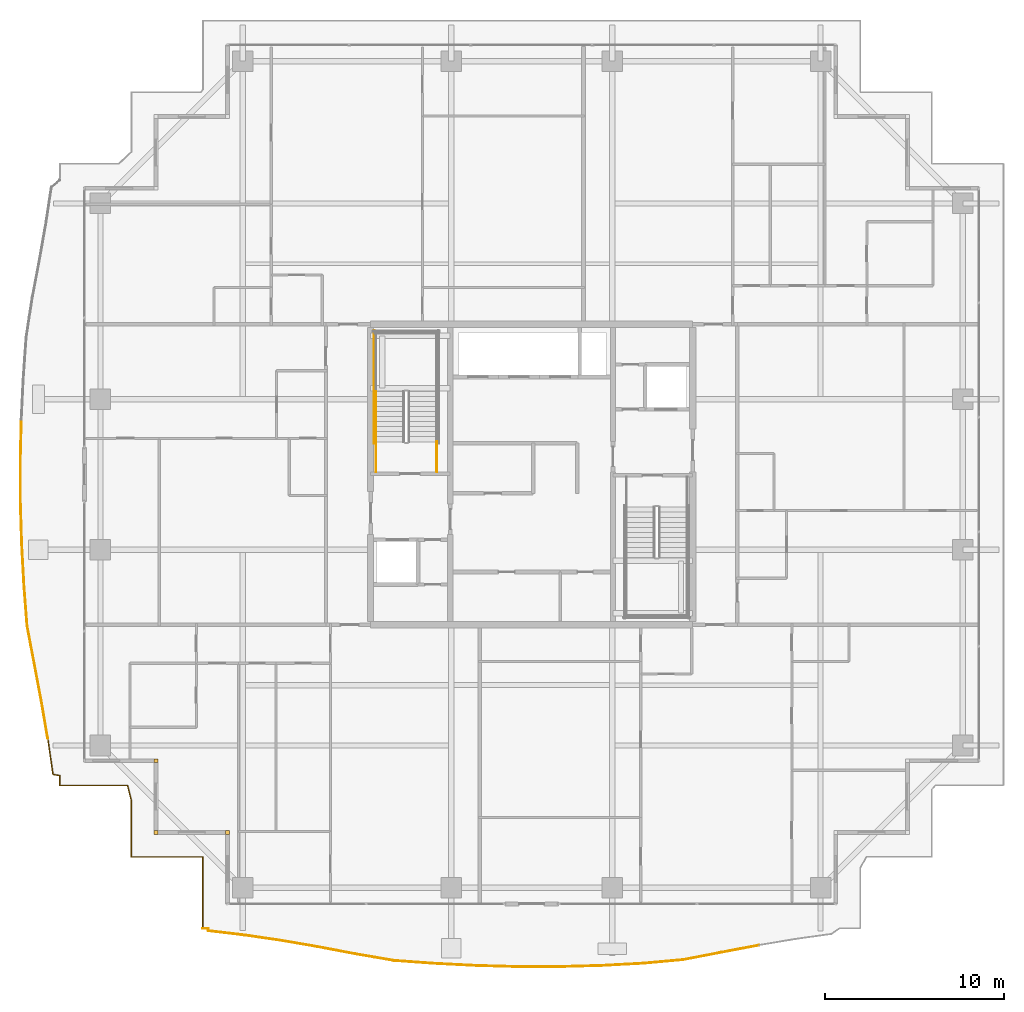
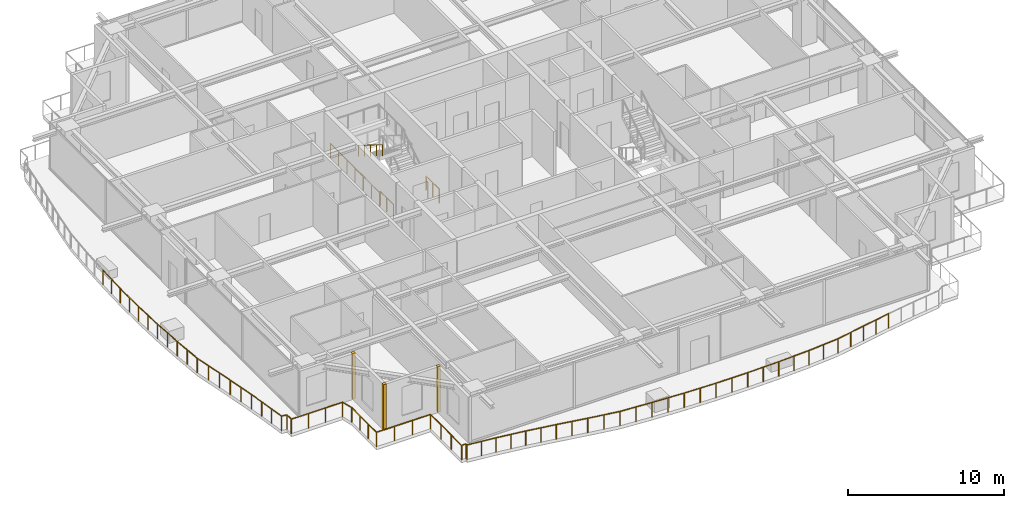
# One storey, part 31 of 35: 8 railings, 3 coverings.
"""IFC4 building model written with IfcOpenShell, lengths in metres."""

from ifc_helpers import new_model, si_unit, direction, frame, origin, origin_2d, place, context, subcontext, project, spatial, rectangle, circle, extrude, source, transform, mapped, material, layer, layer_set, type_object, element, save


model = new_model("IFC4")

# Units and contexts
model_context = context("Model", 3, precision=1e-05, world=origin(), true_north=direction((0.0, 1.0)))
body_context = subcontext(model_context, "Body", "Model", "MODEL_VIEW")
ifc_project = project(units=[si_unit("LENGTHUNIT", "METRE"), si_unit("AREAUNIT", "SQUARE_METRE"), si_unit("VOLUMEUNIT", "CUBIC_METRE"), si_unit("PLANEANGLEUNIT", "RADIAN"), si_unit("MASSUNIT", "GRAM", prefix="KILO")], contexts=[model_context])

# Site, building, storey
site_placement = place(None, origin())
site = spatial("IfcSite", under=ifc_project, at=site_placement, CompositionType="ELEMENT")
building_placement = place(site_placement, origin())
building = spatial("IfcBuilding", under=site, at=building_placement, Name="Serunith Strait Residences", CompositionType="ELEMENT")
storey_placement = place(building_placement, frame((0.0, 0.0, 214.300048828125)))
storey = spatial("IfcBuildingStorey", under=building, at=storey_placement, Name="L53", CompositionType="ELEMENT", Elevation=214.300048828125)

# Railings
ifc_material_1 = material(Name="Stainless Steel & Laminated Glass Balustrade", Category="steel")
railing_type_1 = type_object("IfcRailingType", Name="RLG-BALC-1150", PredefinedType="BALUSTRADE", material=ifc_material_1)
railing_1_placement = place(storey_placement, frame((14.02001953125, -0.179931640625, -0.050048828125)))
element("IfcRailing", 1, at=railing_1_placement, inside=storey, type_object=railing_type_1, Name="L53 Swirling Balcony Perimeter Balustrade 1", PredefinedType="BALUSTRADE", context=body_context, shape_type="SweptSolid", body=[
    extrude(circle(Radius=0.02392578125, at=origin_2d()), frame((0.0, 0.001953125, 1.1259765625), z_axis=(0.0, 1.0, 0.0), x_axis=(-1.0, 0.0, 0.0)), (0.0, 0.0, 1.0), 3.99609375),
    extrude(circle(Radius=0.02392578125, at=origin_2d()), frame((-0.001953125, 4.0, 1.1259765625), z_axis=(-1.0, 0.0, 0.0), x_axis=(0.0, -1.0, 0.0)), (0.0, 0.0, 1.0), 3.99609375),
    extrude(circle(Radius=0.02392578125, at=origin_2d()), frame((-4.0, 4.001953125, 1.1259765625), z_axis=(0.0, 1.0, 0.0), x_axis=(-1.0, 0.0, 0.0)), (0.0, 0.0, 1.0), 3.164306640625),
    extrude(circle(Radius=0.02392578125, at=origin_2d()), frame((-4.00048828125, 7.170166015625, 1.1259765625), z_axis=(-0.238845398988, 0.971057606624, 0.0), x_axis=(-0.971057606624, -0.238845398988, 0.0)), (0.0, 0.0, 1.0), 0.8525390625),
    extrude(circle(Radius=0.02392578125, at=origin_2d()), frame((-4.20654296875, 8.0, 1.1259765625), z_axis=(-1.0, 0.0, 0.0), x_axis=(0.0, -1.0, 0.0)), (0.0, 0.0, 1.0), 3.79150390625),
    extrude(circle(Radius=0.02392578125, at=origin_2d()), frame((-8.0, 8.001953125, 1.1259765625), z_axis=(0.0, 1.0, 0.0), x_axis=(-1.0, 0.0, 0.0)), (0.0, 0.0, 1.0), 0.546142578125),
    extrude(circle(Radius=0.02392578125, at=origin_2d()), frame((-8.001953125, 8.55029296875, 1.1259765625), z_axis=(-0.986359280714, 0.164606711132, 0.0), x_axis=(-0.164606711132, -0.986359280714, 0.0)), (0.0, 0.0, 1.0), 0.377197265625),
    extrude(circle(Radius=0.02392578125, at=origin_2d()), frame((-8.376220703125, 8.61474609375, 1.1259765625), z_axis=(-0.14240644301, 0.989808266782, 0.0), x_axis=(-0.989808266782, -0.14240644301, 0.0)), (0.0, 0.0, 1.0), 2.04296875),
    extrude(circle(Radius=0.02099609375, at=origin_2d()), origin(), (0.0, 0.0, 1.0), 1.099853515625),
    extrude(circle(Radius=0.02099609375, at=origin_2d()), frame((0.0, 1.333251953125, 0.0)), (0.0, 0.0, 1.0), 1.099853515625),
    extrude(circle(Radius=0.02099609375, at=origin_2d()), frame((0.0, 2.666748046875, 0.0)), (0.0, 0.0, 1.0), 1.099853515625),
    extrude(circle(Radius=0.02099609375, at=origin_2d()), frame((0.0, 4.0, 0.0)), (0.0, 0.0, 1.0), 1.099853515625),
    extrude(circle(Radius=0.02099609375, at=origin_2d()), frame((-1.333251953125, 4.0, 0.0)), (0.0, 0.0, 1.0), 1.099853515625),
    extrude(circle(Radius=0.02099609375, at=origin_2d()), frame((-2.666748046875, 4.0, 0.0)), (0.0, 0.0, 1.0), 1.099853515625),
    extrude(circle(Radius=0.02099609375, at=origin_2d()), frame((-4.0, 4.0, 0.0)), (0.0, 0.0, 1.0), 1.099853515625),
    extrude(circle(Radius=0.02099609375, at=origin_2d()), frame((-4.0, 5.05615234375, 0.0)), (0.0, 0.0, 1.0), 1.099853515625),
    extrude(circle(Radius=0.02099609375, at=origin_2d()), frame((-4.0, 6.112060546875, 0.0)), (0.0, 0.0, 1.0), 1.099853515625),
    extrude(circle(Radius=0.02099609375, at=origin_2d()), frame((-4.0, 7.168212890625, 0.0)), (0.0, 0.0, 1.0), 1.099853515625),
    extrude(circle(Radius=0.02099609375, at=origin_2d()), frame((-4.20458984375, 8.0, 0.0)), (0.0, 0.0, 1.0), 1.099853515625),
    extrude(circle(Radius=0.02099609375, at=origin_2d()), frame((-5.4697265625, 8.0, 0.0)), (0.0, 0.0, 1.0), 1.099853515625),
    extrude(circle(Radius=0.02099609375, at=origin_2d()), frame((-6.73486328125, 8.0, 0.0)), (0.0, 0.0, 1.0), 1.099853515625),
    extrude(circle(Radius=0.02099609375, at=origin_2d()), frame((-8.0, 8.0, 0.0)), (0.0, 0.0, 1.0), 1.099853515625),
    extrude(circle(Radius=0.02099609375, at=origin_2d()), frame((-8.0, 8.550048828125, 0.0)), (0.0, 0.0, 1.0), 1.099853515625),
    extrude(circle(Radius=0.02099609375, at=origin_2d()), frame((-8.3759765625, 8.61279296875, 0.0)), (0.0, 0.0, 1.0), 1.099853515625),
    extrude(circle(Radius=0.02099609375, at=origin_2d()), frame((-8.521728515625, 9.6259765625, 0.0)), (0.0, 0.0, 1.0), 1.099853515625),
    extrude(circle(Radius=0.02099609375, at=origin_2d()), frame((-8.66748046875, 10.638916015625, 0.0)), (0.0, 0.0, 1.0), 1.099853515625),
])
railing_2_placement = place(storey_placement, frame((5.3525390625, 10.458984375, -0.050048828125)))
element("IfcRailing", 2, at=railing_2_placement, inside=storey, type_object=railing_type_1, Name="L53 Swirling Balcony Perimeter Balustrade 2", PredefinedType="BALUSTRADE", context=body_context, shape_type="SweptSolid", body=[
    extrude(circle(Radius=0.02392578125, at=origin_2d()), frame((-0.000244140625, 0.001953125, 1.1259765625), z_axis=(-0.16700947295, 0.985955291048, 0.0), x_axis=(-0.985955291048, -0.16700947295, 0.0)), (0.0, 0.0, 1.0), 2.0732421875),
    extrude(circle(Radius=0.02392578125, at=origin_2d()), frame((-0.347412109375, 2.050048828125, 1.1259765625), z_axis=(-0.184344047009, 0.982861776819, 0.0), x_axis=(-0.982861776819, -0.184344047009, 0.0)), (0.0, 0.0, 1.0), 2.120361328125),
    extrude(circle(Radius=0.02392578125, at=origin_2d()), frame((-0.739013671875, 4.137939453125, 1.1259765625), z_axis=(-0.18759984741, 0.982245538168, 0.0), x_axis=(-0.982245538168, -0.18759984741, 0.0)), (0.0, 0.0, 1.0), 2.18115234375),
    extrude(circle(Radius=0.02392578125, at=origin_2d()), frame((-1.148681640625, 6.2841796875, 1.1259765625), z_axis=(-0.07663896105, 0.997058909819, 0.0), x_axis=(-0.997058909819, -0.07663896105, 0.0)), (0.0, 0.0, 1.0), 2.267333984375),
    extrude(circle(Radius=0.02392578125, at=origin_2d()), frame((-1.322509765625, 8.548828125, 1.1259765625), z_axis=(-0.054483708604, 0.99851465963, 0.0), x_axis=(-0.99851465963, -0.054483708604, 0.0)), (0.0, 0.0, 1.0), 2.29931640625),
    extrude(circle(Radius=0.02392578125, at=origin_2d()), frame((-1.447998046875, 10.8486328125, 1.1259765625), z_axis=(-0.030146023543, 0.99954550535, 0.0), x_axis=(-0.99954550535, -0.030146023543, 0.0)), (0.0, 0.0, 1.0), 2.3203125),
    extrude(circle(Radius=0.02392578125, at=origin_2d()), frame((-1.51806640625, 13.171875, 1.1259765625), z_axis=(-0.003244018092, 0.999994738159, 0.0), x_axis=(-0.999994738159, -0.003244018092, 0.0)), (0.0, 0.0, 1.0), 2.3291015625),
    extrude(circle(Radius=0.02392578125, at=origin_2d()), frame((-1.525634765625, 15.5048828125, 1.1259765625), z_axis=(0.023805273414, 0.999716614325, 0.0), x_axis=(-0.999716614325, 0.023805273414, 0.0)), (0.0, 0.0, 1.0), 2.323974609375),
    extrude(circle(Radius=0.02099609375, at=origin_2d()), origin(), (0.0, 0.0, 1.0), 1.099853515625),
    extrude(circle(Radius=0.02099609375, at=origin_2d()), frame((-0.17333984375, 1.02392578125, 0.0)), (0.0, 0.0, 1.0), 1.099853515625),
    extrude(circle(Radius=0.02099609375, at=origin_2d()), frame((-0.346923828125, 2.048095703125, 0.0)), (0.0, 0.0, 1.0), 1.099853515625),
    extrude(circle(Radius=0.02099609375, at=origin_2d()), frame((-0.542724609375, 3.092041015625, 0.0)), (0.0, 0.0, 1.0), 1.099853515625),
    extrude(circle(Radius=0.02099609375, at=origin_2d()), frame((-0.738525390625, 4.135986328125, 0.0)), (0.0, 0.0, 1.0), 1.099853515625),
    extrude(circle(Radius=0.02099609375, at=origin_2d()), frame((-0.943359375, 5.208984375, 0.0)), (0.0, 0.0, 1.0), 1.099853515625),
    extrude(circle(Radius=0.02099609375, at=origin_2d()), frame((-1.1484375, 6.2822265625, 0.0)), (0.0, 0.0, 1.0), 1.099853515625),
    extrude(circle(Radius=0.02099609375, at=origin_2d()), frame((-1.2353515625, 7.41455078125, 0.0)), (0.0, 0.0, 1.0), 1.099853515625),
    extrude(circle(Radius=0.02099609375, at=origin_2d()), frame((-1.322509765625, 8.546875, 0.0)), (0.0, 0.0, 1.0), 1.099853515625),
    extrude(circle(Radius=0.02099609375, at=origin_2d()), frame((-1.38525390625, 9.69677734375, 0.0)), (0.0, 0.0, 1.0), 1.099853515625),
    extrude(circle(Radius=0.02099609375, at=origin_2d()), frame((-1.447998046875, 10.8466796875, 0.0)), (0.0, 0.0, 1.0), 1.099853515625),
    extrude(circle(Radius=0.02099609375, at=origin_2d()), frame((-1.48291015625, 12.00830078125, 0.0)), (0.0, 0.0, 1.0), 1.099853515625),
    extrude(circle(Radius=0.02099609375, at=origin_2d()), frame((-1.51806640625, 13.169921875, 0.0)), (0.0, 0.0, 1.0), 1.099853515625),
    extrude(circle(Radius=0.02099609375, at=origin_2d()), frame((-1.52197265625, 14.33642578125, 0.0)), (0.0, 0.0, 1.0), 1.099853515625),
    extrude(circle(Radius=0.02099609375, at=origin_2d()), frame((-1.525634765625, 15.5029296875, 0.0)), (0.0, 0.0, 1.0), 1.099853515625),
    extrude(circle(Radius=0.02099609375, at=origin_2d()), frame((-1.498046875, 16.66650390625, 0.0)), (0.0, 0.0, 1.0), 1.099853515625),
    extrude(circle(Radius=0.02099609375, at=origin_2d()), frame((-1.47021484375, 17.830322265625, 0.0)), (0.0, 0.0, 1.0), 1.099853515625),
])
railing_3_placement = place(storey_placement, frame((45.101318359375, -1.1162109375, -0.050048828125)))
element("IfcRailing", 3, at=railing_3_placement, inside=storey, type_object=railing_type_1, Name="L53 Swirling Balcony Perimeter Balustrade 7", PredefinedType="BALUSTRADE", context=body_context, shape_type="SweptSolid", body=[
    extrude(circle(Radius=0.02392578125, at=origin_2d()), frame((-0.001953125, -0.00048828125, 1.1259765625), z_axis=(-0.982762478457, -0.184872688458, 0.0), x_axis=(0.184872688458, -0.982762478457, 0.0)), (0.0, 0.0, 1.0), 2.115478515625),
    extrude(circle(Radius=0.02392578125, at=origin_2d()), frame((-2.0849609375, -0.392333984375, 1.1259765625), z_axis=(-0.981767055406, -0.190088003092, 0.0), x_axis=(0.190088003092, -0.981767055406, 0.0)), (0.0, 0.0, 1.0), 2.17822265625),
    extrude(circle(Radius=0.02392578125, at=origin_2d()), frame((-4.227294921875, -0.806884765625, 1.1259765625), z_axis=(-0.995891443202, -0.090555139868, 0.0), x_axis=(0.090555139868, -0.995891443202, 0.0)), (0.0, 0.0, 1.0), 2.26611328125),
    extrude(circle(Radius=0.02392578125, at=origin_2d()), frame((-6.488037109375, -1.01220703125, 1.1259765625), z_axis=(-0.998614616736, -0.052619836963, 0.0), x_axis=(0.052619836963, -0.998614616736, 0.0)), (0.0, 0.0, 1.0), 2.306640625),
    extrude(circle(Radius=0.02392578125, at=origin_2d()), frame((-8.79541015625, -1.1337890625, 1.1259765625), z_axis=(-0.999621009945, -0.027528829907, 0.0), x_axis=(0.027528829907, -0.999621009945, 0.0)), (0.0, 0.0, 1.0), 2.328369140625),
    extrude(circle(Radius=0.02392578125, at=origin_2d()), frame((-11.126953125, -1.197998046875, 1.1259765625), z_axis=(-0.99999997824, -0.000208615829, 0.0), x_axis=(0.000208615829, -0.99999997824, 0.0)), (0.0, 0.0, 1.0), 2.336669921875),
    extrude(circle(Radius=0.02392578125, at=origin_2d()), frame((-13.467529296875, -1.198486328125, 1.1259765625), z_axis=(-0.999641580629, 0.026771445197, 0.0), x_axis=(-0.026771445197, -0.999641580629, 0.0)), (0.0, 0.0, 1.0), 2.33056640625),
    extrude(circle(Radius=0.02392578125, at=origin_2d()), frame((-15.80126953125, -1.135986328125, 1.1259765625), z_axis=(-0.998685449425, 0.051257907743, 0.0), x_axis=(-0.051257907743, -0.998685449425, 0.0)), (0.0, 0.0, 1.0), 2.310791015625),
    extrude(circle(Radius=0.02099609375, at=origin_2d()), origin(), (0.0, 0.0, 1.0), 1.099853515625),
    extrude(circle(Radius=0.02099609375, at=origin_2d()), frame((-1.04150390625, -0.19580078125, 0.0)), (0.0, 0.0, 1.0), 1.099853515625),
    extrude(circle(Radius=0.02099609375, at=origin_2d()), frame((-2.0830078125, -0.391845703125, 0.0)), (0.0, 0.0, 1.0), 1.099853515625),
    extrude(circle(Radius=0.02099609375, at=origin_2d()), frame((-3.154296875, -0.59912109375, 0.0)), (0.0, 0.0, 1.0), 1.099853515625),
    extrude(circle(Radius=0.02099609375, at=origin_2d()), frame((-4.225341796875, -0.806640625, 0.0)), (0.0, 0.0, 1.0), 1.099853515625),
    extrude(circle(Radius=0.02099609375, at=origin_2d()), frame((-5.355712890625, -0.909423828125, 0.0)), (0.0, 0.0, 1.0), 1.099853515625),
    extrude(circle(Radius=0.02099609375, at=origin_2d()), frame((-6.486083984375, -1.01220703125, 0.0)), (0.0, 0.0, 1.0), 1.099853515625),
    extrude(circle(Radius=0.02099609375, at=origin_2d()), frame((-7.6396484375, -1.072998046875, 0.0)), (0.0, 0.0, 1.0), 1.099853515625),
    extrude(circle(Radius=0.02099609375, at=origin_2d()), frame((-8.79345703125, -1.1337890625, 0.0)), (0.0, 0.0, 1.0), 1.099853515625),
    extrude(circle(Radius=0.02099609375, at=origin_2d()), frame((-9.959228515625, -1.166015625, 0.0)), (0.0, 0.0, 1.0), 1.099853515625),
    extrude(circle(Radius=0.02099609375, at=origin_2d()), frame((-11.125, -1.197998046875, 0.0)), (0.0, 0.0, 1.0), 1.099853515625),
    extrude(circle(Radius=0.02099609375, at=origin_2d()), frame((-12.29541015625, -1.1982421875, 0.0)), (0.0, 0.0, 1.0), 1.099853515625),
    extrude(circle(Radius=0.02099609375, at=origin_2d()), frame((-13.465576171875, -1.198486328125, 0.0)), (0.0, 0.0, 1.0), 1.099853515625),
    extrude(circle(Radius=0.02099609375, at=origin_2d()), frame((-14.63232421875, -1.167236328125, 0.0)), (0.0, 0.0, 1.0), 1.099853515625),
    extrude(circle(Radius=0.02099609375, at=origin_2d()), frame((-15.79931640625, -1.135986328125, 0.0)), (0.0, 0.0, 1.0), 1.099853515625),
    extrude(circle(Radius=0.02099609375, at=origin_2d()), frame((-16.955078125, -1.07666015625, 0.0)), (0.0, 0.0, 1.0), 1.099853515625),
    extrude(circle(Radius=0.02099609375, at=origin_2d()), frame((-18.111083984375, -1.017333984375, 0.0)), (0.0, 0.0, 1.0), 1.099853515625),
])
railing_4_placement = place(storey_placement, frame((26.990234375, -2.133544921875, -0.050048828125)))
element("IfcRailing", 4, at=railing_4_placement, inside=storey, type_object=railing_type_1, Name="L53 Swirling Balcony Perimeter Balustrade 8", PredefinedType="BALUSTRADE", context=body_context, shape_type="SweptSolid", body=[
    extrude(circle(Radius=0.02392578125, at=origin_2d()), frame((-0.001953125, 0.000244140625, 1.1259765625), z_axis=(-0.997441858144, 0.071482442753, 0.0), x_axis=(-0.071482442753, -0.997441858144, 0.0)), (0.0, 0.0, 1.0), 2.281005859375),
    extrude(circle(Radius=0.02392578125, at=origin_2d()), frame((-2.281005859375, 0.16357421875, 1.1259765625), z_axis=(-0.985577457974, 0.169224922318, 0.0), x_axis=(-0.169224922318, -0.985577457974, 0.0)), (0.0, 0.0, 1.0), 2.201904296875),
    extrude(circle(Radius=0.02392578125, at=origin_2d()), frame((-4.455078125, 0.537109375, 1.1259765625), z_axis=(-0.982433461632, 0.186613218895, 0.0), x_axis=(-0.186613218895, -0.982433461632, 0.0)), (0.0, 0.0, 1.0), 2.13232421875),
    extrude(circle(Radius=0.02392578125, at=origin_2d()), frame((-6.553955078125, 0.935546875, 1.1259765625), z_axis=(-0.985444564324, 0.169997090103, 0.0), x_axis=(-0.169997090103, -0.985444564324, 0.0)), (0.0, 0.0, 1.0), 2.081298828125),
    extrude(circle(Radius=0.02392578125, at=origin_2d()), frame((-8.60888671875, 1.2900390625, 1.1259765625), z_axis=(-0.989441095224, 0.144935568729, 0.0), x_axis=(-0.144935568729, -0.989441095224, 0.0)), (0.0, 0.0, 1.0), 2.047607421875),
    extrude(circle(Radius=0.02392578125, at=origin_2d()), frame((-10.638916015625, 1.58740234375, 1.1259765625), z_axis=(-0.99304950371, 0.117697422151, 0.0), x_axis=(-0.117697422151, -0.99304950371, 0.0)), (0.0, 0.0, 1.0), 2.031005859375),
    extrude(circle(Radius=0.02392578125, at=origin_2d()), frame((-12.65771484375, 1.82861328125, 1.1259765625), z_axis=(0.007692080119, 0.999970415514, 0.0), x_axis=(-0.999970415514, 0.007692080119, 0.0)), (0.0, 0.0, 1.0), 0.123046875),
    extrude(circle(Radius=0.02392578125, at=origin_2d()), frame((-12.65869140625, 1.95361328125, 1.1259765625), z_axis=(-1.0, 0.0, 0.0), x_axis=(0.0, -1.0, 0.0)), (0.0, 0.0, 1.0), 0.3095703125),
    extrude(circle(Radius=0.02099609375, at=origin_2d()), origin(), (0.0, 0.0, 1.0), 1.099853515625),
    extrude(circle(Radius=0.02099609375, at=origin_2d()), frame((-1.1396484375, 0.08154296875, 0.0)), (0.0, 0.0, 1.0), 1.099853515625),
    extrude(circle(Radius=0.02099609375, at=origin_2d()), frame((-2.279052734375, 0.163330078125, 0.0)), (0.0, 0.0, 1.0), 1.099853515625),
    extrude(circle(Radius=0.02099609375, at=origin_2d()), frame((-3.3662109375, 0.35009765625, 0.0)), (0.0, 0.0, 1.0), 1.099853515625),
    extrude(circle(Radius=0.02099609375, at=origin_2d()), frame((-4.453125, 0.53662109375, 0.0)), (0.0, 0.0, 1.0), 1.099853515625),
    extrude(circle(Radius=0.02099609375, at=origin_2d()), frame((-5.50244140625, 0.73583984375, 0.0)), (0.0, 0.0, 1.0), 1.099853515625),
    extrude(circle(Radius=0.02099609375, at=origin_2d()), frame((-6.552001953125, 0.935302734375, 0.0)), (0.0, 0.0, 1.0), 1.099853515625),
    extrude(circle(Radius=0.02099609375, at=origin_2d()), frame((-7.57958984375, 1.112548828125, 0.0)), (0.0, 0.0, 1.0), 1.099853515625),
    extrude(circle(Radius=0.02099609375, at=origin_2d()), frame((-8.60693359375, 1.289794921875, 0.0)), (0.0, 0.0, 1.0), 1.099853515625),
    extrude(circle(Radius=0.02099609375, at=origin_2d()), frame((-9.6220703125, 1.4384765625, 0.0)), (0.0, 0.0, 1.0), 1.099853515625),
    extrude(circle(Radius=0.02099609375, at=origin_2d()), frame((-10.636962890625, 1.587158203125, 0.0)), (0.0, 0.0, 1.0), 1.099853515625),
    extrude(circle(Radius=0.02099609375, at=origin_2d()), frame((-11.6474609375, 1.70703125, 0.0)), (0.0, 0.0, 1.0), 1.099853515625),
    extrude(circle(Radius=0.02099609375, at=origin_2d()), frame((-12.65771484375, 1.82666015625, 0.0)), (0.0, 0.0, 1.0), 1.099853515625),
    extrude(circle(Radius=0.02099609375, at=origin_2d()), frame((-12.65673828125, 1.95361328125, 0.0)), (0.0, 0.0, 1.0), 1.099853515625),
    extrude(circle(Radius=0.02099609375, at=origin_2d()), frame((-12.97021484375, 1.95361328125, 0.0)), (0.0, 0.0, 1.0), 1.099853515625),
])
ifc_material_2 = material(Name="Brushed stainless steel 316L", Category="steel")
railing_type_2 = type_object("IfcRailingType", Name="RLG-STAIR-GUARD", PredefinedType="BALUSTRADE", material=ifc_material_2)
for number, where, name in (
    (5, (27.10009765625, 25.35009765625, 0.0), "L53 ST-1 stair guard 8"),
    (6, (23.699951171875, 25.35009765625, 0.0), "L53 ST-1 stair guard 9"),
):
    element("IfcRailing", number, at=place(storey_placement, frame(where)), inside=storey, type_object=railing_type_2, Name=name, PredefinedType="BALUSTRADE", context=body_context, shape_type="SweptSolid", body=[
        extrude(circle(Radius=0.02392578125, at=origin_2d()), frame((0.0, 0.001953125, 1.076171875), z_axis=(0.0, 1.0, 0.0), x_axis=(-1.0, 0.0, 0.0)), (0.0, 0.0, 1.0), 1.676025390625),
        extrude(circle(Radius=0.02099609375, at=origin_2d()), origin(), (0.0, 0.0, 1.0), 1.050048828125),
        extrude(circle(Radius=0.02099609375, at=origin_2d()), frame((0.0, 0.83984375, 0.0)), (0.0, 0.0, 1.0), 1.050048828125),
        extrude(circle(Radius=0.02099609375, at=origin_2d()), frame((0.0, 1.679931640625, 0.0)), (0.0, 0.0, 1.0), 1.050048828125),
    ])
railing_5_placement = place(storey_placement, frame((23.60009765625, 26.929931640625, 0.0)))
element("IfcRailing", 7, at=railing_5_placement, inside=storey, type_object=railing_type_2, Name="L53 ST-1 stair guard 11", PredefinedType="BALUSTRADE", context=body_context, shape_type="SweptSolid", body=[
    extrude(circle(Radius=0.02392578125, at=origin_2d()), frame((0.0, 0.001953125, 1.076171875), z_axis=(0.0, 1.0, 0.0), x_axis=(-1.0, 0.0, 0.0)), (0.0, 0.0, 1.0), 6.316162109375),
    extrude(circle(Radius=0.02099609375, at=origin_2d()), origin(), (0.0, 0.0, 1.0), 1.050048828125),
    extrude(circle(Radius=0.02099609375, at=origin_2d()), frame((0.0, 1.05322265625, 0.0)), (0.0, 0.0, 1.0), 1.050048828125),
    extrude(circle(Radius=0.02099609375, at=origin_2d()), frame((0.0, 2.106689453125, 0.0)), (0.0, 0.0, 1.0), 1.050048828125),
    extrude(circle(Radius=0.02099609375, at=origin_2d()), frame((0.0, 3.16015625, 0.0)), (0.0, 0.0, 1.0), 1.050048828125),
    extrude(circle(Radius=0.02099609375, at=origin_2d()), frame((0.0, 4.21337890625, 0.0)), (0.0, 0.0, 1.0), 1.050048828125),
    extrude(circle(Radius=0.02099609375, at=origin_2d()), frame((0.0, 5.2666015625, 0.0)), (0.0, 0.0, 1.0), 1.050048828125),
    extrude(circle(Radius=0.02099609375, at=origin_2d()), frame((0.0, 6.320068359375, 0.0)), (0.0, 0.0, 1.0), 1.050048828125),
])
railing_type_3 = type_object("IfcRailingType", Name="RLG-STAIR-HR", PredefinedType="HANDRAIL", material=ifc_material_2)
railing_6_placement = place(storey_placement, frame((23.699951171875, 29.830078125, 2.099853515625)))
element("IfcRailing", 8, at=railing_6_placement, inside=storey, type_object=railing_type_3, Name="L53 ST-1 stair handrail 2", PredefinedType="HANDRAIL", context=body_context, shape_type="SweptSolid", body=[
    extrude(circle(Radius=0.02392578125, at=origin_2d()), frame((0.0, -0.001708984375, 0.876953125), z_axis=(0.0, -0.847363772988, 0.531012839984), x_axis=(1.0, 0.0, 0.0)), (0.0, 0.0, 1.0), 3.630859375),
    extrude(circle(Radius=0.02099609375, at=origin_2d()), origin(), (0.0, 0.0, 1.0), 0.849853515625),
    extrude(circle(Radius=0.02099609375, at=origin_2d()), frame((0.0, -0.77001953125, 0.482421875)), (0.0, 0.0, 1.0), 0.849853515625),
    extrude(circle(Radius=0.02099609375, at=origin_2d()), frame((0.0, -1.5400390625, 0.965087890625)), (0.0, 0.0, 1.0), 0.849853515625),
    extrude(circle(Radius=0.02099609375, at=origin_2d()), frame((0.0, -2.31005859375, 1.44775390625)), (0.0, 0.0, 1.0), 0.849853515625),
    extrude(circle(Radius=0.02099609375, at=origin_2d()), frame((0.0, -3.080078125, 1.93017578125)), (0.0, 0.0, 1.0), 0.849853515625),
])

# Coverings
ifc_material_3 = material(Name="Pale-Champagne Anodised Aluminium", Category="aluminium")
ifc_layer = layer(ifc_material_3, 0.219970703125, Name="Pale-Champagne Anodised Aluminium")
ifc_layer_set = layer_set([ifc_layer], Name="Pale-Champagne Anodised Aluminium")
covering_type = type_object("IfcCoveringType", Name="COV-CORN-TRIM", PredefinedType="CLADDING", material=ifc_layer_set)
shared_shape = source(origin(), body_context, "Body", "SweptSolid", [
    extrude(rectangle(XDim=0.221923828125, YDim=0.221923828125, at=origin_2d()), origin(), (0.0, 0.0, 1.0), 3.574951171875),
])
for number, where, z_axis, x_axis, name in (
    (9, (11.39990234375, 9.199951171875, 0.0), (0.0, 0.0, 1.0), (1.0, 0.0, 0.0), "L53 Girih Serrated Corner Trim Post 17"),
    (10, (11.39990234375, 5.199951171875, 0.0), (0.0, 0.0, 1.0), (1.0, 0.0, 0.0), "L53 Girih Serrated Corner Trim Post 18"),
    (11, (15.39990234375, 5.199951171875, 0.0), (0.0, 0.0, 1.0), (1.0, 0.0, 0.0), "L53 Girih Serrated Corner Trim Post 19"),
):
    element("IfcCovering", number, at=place(storey_placement, frame(where, z_axis=z_axis, x_axis=x_axis)), inside=storey, type_object=covering_type, Name=name, PredefinedType="CLADDING", context=body_context, shape_type="MappedRepresentation", body=[
        mapped(shared_shape, transform((0.0, 0.0, 0.0), scale=1.0)),
    ])

save(model, "model.ifc")
